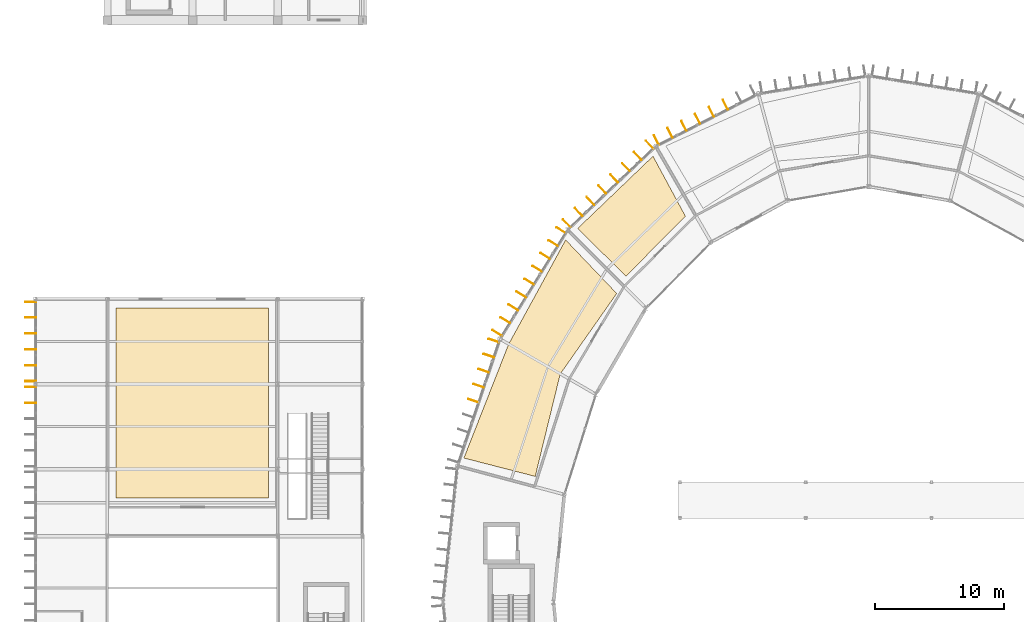
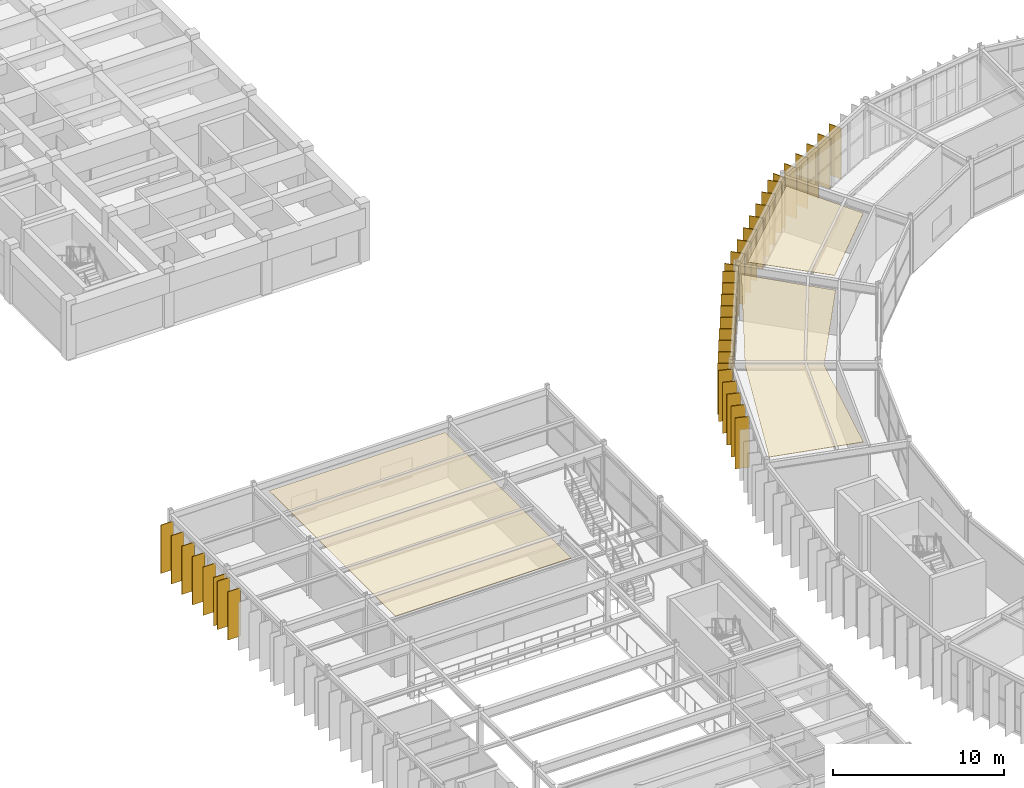
# One storey, part 141 of 147: 36 shading devices, 3 coverings.
"""IFC4 building model written with IfcOpenShell, lengths in metres."""

import ifcopenshell
import ifcopenshell.guid

model = None  # the IFC model being written
_history = None  # IfcOwnerHistory: only IFC2X3 demands one
_inside = {}  # id of a spatial element -> (the spatial element, [elements in it])
_under = {}  # id of a project, library or spatial element -> (it, [spatial elements below it])
_declared = {}  # id of a project -> (the project, [libraries it declares])
_typed = {}  # id of a type object -> (the type object, [elements of that type])
_made_of = {}  # id of a material, layer set ... -> (it, [elements and type objects made of it])


def new_model(schema):
    """Start an empty IFC model of exactly this schema.

    Asked for "IFC4X3", IfcOpenShell would pick the latest addendum, in which some entities
    have other attributes; the version numbers below select the first issue.
    IFC2X3 requires an IfcOwnerHistory on every rooted entity: one is made here for all.
    """
    global model, _history
    if schema == "IFC4X3":
        model = ifcopenshell.file(schema_version=(4, 3, 0, 0))
    else:
        model = ifcopenshell.file(schema=schema)
    _inside.clear()
    _under.clear()
    _declared.clear()
    _typed.clear()
    _made_of.clear()
    _history = None
    if model.schema == "IFC2X3":
        org = make("IfcOrganization", Name="unknown")
        user = make(
            "IfcPersonAndOrganization",
            ThePerson=make("IfcPerson", FamilyName="unknown"),
            TheOrganization=org,
        )
        app = make(
            "IfcApplication",
            ApplicationDeveloper=org,
            Version="unknown",
            ApplicationFullName="unknown",
            ApplicationIdentifier="unknown",
        )
        _history = make(
            "IfcOwnerHistory",
            OwningUser=user,
            OwningApplication=app,
            ChangeAction="ADDED",
            CreationDate=0,
        )
    return model


def make(cls, **values):
    """One entity of the class cls with the attributes given. An attribute that is None is left unset."""
    return model.create_entity(
        cls, **{name: value for name, value in values.items() if value is not None}
    )


def rooted(cls, **values):
    """An entity with a GlobalId (a new one), such as an element, a storey or a relation."""
    return make(cls, GlobalId=ifcopenshell.guid.new(), OwnerHistory=_history, **values)


def si_unit(unit_type, name, prefix=None):
    """IfcSIUnit, for example si_unit("LENGTHUNIT", "METRE", prefix="MILLI")."""
    return make("IfcSIUnit", UnitType=unit_type, Prefix=prefix, Name=name)


def assignment(units):
    """IfcUnitAssignment: the units of a project."""
    return None if units is None else make("IfcUnitAssignment", Units=units)


def point(xyz):
    """IfcCartesianPoint."""
    return None if xyz is None else make("IfcCartesianPoint", Coordinates=xyz)


def direction(xyz):
    """IfcDirection."""
    return None if xyz is None else make("IfcDirection", DirectionRatios=xyz)


def frame(location, z_axis=None, x_axis=None):
    """IfcAxis2Placement3D, a coordinate frame: its origin and axes. An axis left out is left unset."""
    return make(
        "IfcAxis2Placement3D",
        Location=point(location),
        Axis=direction(z_axis),
        RefDirection=direction(x_axis),
    )


def frame_2d(location, x_axis=None):
    """IfcAxis2Placement2D, a coordinate frame in the plane: its origin and x axis."""
    return make(
        "IfcAxis2Placement2D", Location=point(location), RefDirection=direction(x_axis)
    )


def origin():
    """The frame at (0, 0, 0) with its axes left unset."""
    return frame((0.0, 0.0, 0.0))


def origin_2d():
    """The frame at (0, 0) in the plane with its x axis left unset."""
    return frame_2d((0.0, 0.0))


def place(relative_to, where):
    """IfcLocalPlacement: puts the frame where relative to a parent placement (None: the world)."""
    return make(
        "IfcLocalPlacement", PlacementRelTo=relative_to, RelativePlacement=where
    )


def context(
    kind, dimensions, precision=None, world=None, true_north=None, identifier=None
):
    """IfcGeometricRepresentationContext, for example the 3D "Model" context."""
    return make(
        "IfcGeometricRepresentationContext",
        ContextIdentifier=identifier,
        ContextType=kind,
        CoordinateSpaceDimension=dimensions,
        Precision=precision,
        WorldCoordinateSystem=world,
        TrueNorth=true_north,
    )


def subcontext(parent, identifier, kind, view, scale=None):
    """IfcGeometricRepresentationSubContext, for example "Body" below "Model"."""
    return make(
        "IfcGeometricRepresentationSubContext",
        ContextIdentifier=identifier,
        ContextType=kind,
        ParentContext=parent,
        TargetScale=scale,
        TargetView=view,
    )


def project(units=None, contexts=None):
    """IfcProject with its units and contexts."""
    return rooted(
        "IfcProject",
        Name="project",
        RepresentationContexts=contexts,
        UnitsInContext=assignment(units),
    )


def spatial(cls, under=None, at=None, **own):
    """A site, building, storey or space (cls), placed at a placement, below another one or the project."""
    s = rooted(cls, ObjectPlacement=at, **own)
    if under is not None:
        _under.setdefault(under.id(), (under, []))[1].append(s)
    return s


def polyline(points):
    """IfcPolyline through the points."""
    return make("IfcPolyline", Points=[point(p) for p in points])


def profile(cls, at=None, kind="AREA", **sizes):
    """A parametric profile (cls). Its sizes go by their IFC names, for example OverallWidth=200.0."""
    return make(cls, ProfileType=kind, Position=at, **sizes)


def rectangle(**sizes):
    """IfcRectangleProfileDef."""
    return profile("IfcRectangleProfileDef", **sizes)


def outline(outer, holes=None, kind="AREA"):
    """IfcArbitraryClosedProfileDef: a profile drawn as a closed curve; with holes, ...WithVoids."""
    if holes is None:
        return make("IfcArbitraryClosedProfileDef", ProfileType=kind, OuterCurve=outer)
    return make(
        "IfcArbitraryProfileDefWithVoids",
        ProfileType=kind,
        OuterCurve=outer,
        InnerCurves=holes,
    )


def extrude(swept, where, along, depth):
    """IfcExtrudedAreaSolid: the profile swept, set in the frame where, extruded along a direction by depth."""
    return make(
        "IfcExtrudedAreaSolid",
        SweptArea=swept,
        Position=where,
        ExtrudedDirection=direction(along),
        Depth=depth,
    )


def shape(context_of_items, identifier, shape_type, items):
    """IfcShapeRepresentation: the items that make up one representation, for example the "Body"."""
    return make(
        "IfcShapeRepresentation",
        ContextOfItems=context_of_items,
        RepresentationIdentifier=identifier,
        RepresentationType=shape_type,
        Items=items,
    )


def material(Name=None, Category=None):
    """IfcMaterial."""
    return make("IfcMaterial", Name=Name, Category=Category)


def layer(
    of_material, thickness, ventilated=None, Name=None, Category=None, Priority=None
):
    """IfcMaterialLayer: one layer of a wall or slab, of a material (None: an air gap)."""
    return make(
        "IfcMaterialLayer",
        Material=of_material,
        LayerThickness=thickness,
        IsVentilated=ventilated,
        Name=Name,
        Category=Category,
        Priority=Priority,
    )


def layer_set(layers, Name=None):
    """IfcMaterialLayerSet."""
    return make("IfcMaterialLayerSet", MaterialLayers=layers, LayerSetName=Name)


def made_of(thing, what):
    """Note that an element or type object is made of a material, layer set ...; save() writes the relation."""
    if what is not None:
        _made_of.setdefault(what.id(), (what, []))[1].append(thing)
    return thing


def type_object(cls, material=None, **own):
    """A type object (cls), such as IfcWallType, which elements share."""
    return made_of(rooted(cls, **own), material)


def element(
    cls,
    number,
    at=None,
    inside=None,
    cuts=None,
    type_object=None,
    material=None,
    context=None,
    identifier="Body",
    shape_type=None,
    held_by="IfcProductDefinitionShape",
    body=None,
    shapes=None,
    **own,
):
    """One element of the class cls, such as IfcWall. Its Tag is "e" and its number.

    at: its placement. inside: the storey or other place that contains it. cuts: it is an
    opening in that element (IfcRelVoidsElement). A single representation is given by context,
    identifier, shape_type and body (its items); several are given by shapes. held_by: the class
    of the entity that holds the representations. save() writes the other relations.
    """
    e = rooted(cls, Tag="e%d" % number, ObjectPlacement=at, **own)
    if body is not None:
        shapes = [shape(context, identifier, shape_type, body)]
    if shapes is not None:
        e.Representation = make(held_by, Representations=shapes)
    if inside is not None:
        _inside.setdefault(inside.id(), (inside, []))[1].append(e)
    if cuts is not None:
        rooted(
            "IfcRelVoidsElement", RelatingBuildingElement=cuts, RelatedOpeningElement=e
        )
    if type_object is not None:
        _typed.setdefault(type_object.id(), (type_object, []))[1].append(e)
    return made_of(e, material)


def aggregate(whole, parts):
    """IfcRelAggregates: a whole, such as a stair, and the parts it consists of."""
    return rooted("IfcRelAggregates", RelatingObject=whole, RelatedObjects=parts)


def save(model, path):
    """Write the relations noted so far, then the file.

    IfcRelAggregates (storeys below a building ...), IfcRelContainedInSpatialStructure (elements
    in a storey), IfcRelDefinesByType, IfcRelAssociatesMaterial and IfcRelDeclares: one each for
    every whole, place, type object, material and project.
    """
    for whole, parts in _under.values():
        aggregate(whole, parts)
    for where, things in _inside.values():
        rooted(
            "IfcRelContainedInSpatialStructure",
            RelatedElements=things,
            RelatingStructure=where,
        )
    for kind, things in _typed.values():
        rooted("IfcRelDefinesByType", RelatedObjects=things, RelatingType=kind)
    for what, things in _made_of.values():
        rooted("IfcRelAssociatesMaterial", RelatedObjects=things, RelatingMaterial=what)
    for by, libraries in _declared.values():
        rooted("IfcRelDeclares", RelatingContext=by, RelatedDefinitions=libraries)
    model.write(path)


model = new_model("IFC4")

# Units and contexts
model_context = context("Model", 3, precision=1e-05, world=origin(), true_north=direction((0.0, 1.0)))
body_context = subcontext(model_context, "Body", "Model", "MODEL_VIEW")
ifc_project = project(units=[si_unit("LENGTHUNIT", "METRE"), si_unit("AREAUNIT", "SQUARE_METRE"), si_unit("VOLUMEUNIT", "CUBIC_METRE"), si_unit("PLANEANGLEUNIT", "RADIAN"), si_unit("MASSUNIT", "GRAM", prefix="KILO")], contexts=[model_context])

# Site, building, storey
site_placement = place(None, origin())
site = spatial("IfcSite", under=ifc_project, at=site_placement, CompositionType="ELEMENT")
building_placement = place(site_placement, origin())
building = spatial("IfcBuilding", under=site, at=building_placement, Name="Karori Crest Natural Sciences Institute", CompositionType="ELEMENT")
storey_placement = place(building_placement, frame((0.0, 0.0, 9.10009765625)))
storey = spatial("IfcBuildingStorey", under=building, at=storey_placement, Name="L02", CompositionType="ELEMENT", Elevation=9.10009765625)

# Coverings
ifc_material_1 = material(Name="Acoustic mineral fibre ceiling tile")
ifc_layer_1 = layer(ifc_material_1, 0.02490234375, Name="Acoustic mineral fibre ceiling tile")
ifc_layer_set_1 = layer_set([ifc_layer_1], Name="Acoustic mineral fibre ceiling tile")
covering_type = type_object("IfcCoveringType", Name="CVT-CEIL", PredefinedType="CEILING", material=ifc_layer_set_1)
covering_1_placement = place(storey_placement, frame((0.0, 0.0, 3.704833984375)))
element("IfcCovering", 1, at=covering_1_placement, inside=storey, type_object=covering_type, Name="Acoustic ceiling CLG-0051", PredefinedType="CEILING", context=body_context, shape_type="SweptSolid", body=[
    extrude(outline(polyline([(8.048583984375, 72.694580078125), (8.048583984375, 57.95556640625), (19.9013671875, 57.95556640625), (19.9013671875, 72.694580078125), (8.048583984375, 72.694580078125)])), origin(), (0.0, 0.0, 1.0), 0.025146484375),
])
covering_2_placement = place(storey_placement, frame((0.0, 0.0, 3.704833984375)))
element("IfcCovering", 2, at=covering_2_placement, inside=storey, type_object=covering_type, Name="Acoustic ceiling CLG-0068", PredefinedType="CEILING", context=body_context, shape_type="SweptSolid", body=[
    extrude(outline(polyline([(47.58642578125, 75.154052734375), (52.20166015625, 79.8115234375), (49.689453125, 84.4619140625), (43.8564453125, 78.87060546875), (47.58642578125, 75.154052734375)])), origin(), (0.0, 0.0, 1.0), 0.025146484375),
])
covering_3_placement = place(storey_placement, frame((0.0, 0.0, 3.704833984375)))
element("IfcCovering", 3, at=covering_3_placement, inside=storey, type_object=covering_type, Name="Acoustic ceiling CLG-0069", PredefinedType="CEILING", context=body_context, shape_type="SweptSolid", body=[
    extrude(outline(polyline([(42.493896484375, 67.572509765625), (46.876953125, 73.82177734375), (42.91845703125, 77.973876953125), (38.497314453125, 69.89111328125), (35.03076171875, 61.066162109375), (40.561279296875, 59.6435546875), (42.493896484375, 67.572509765625)])), origin(), (0.0, 0.0, 1.0), 0.025146484375),
])

# Shading devices
ifc_material_2 = material(Name="Anodised architectural aluminium 6063-T6", Category="aluminium")
ifc_layer_2 = layer(ifc_material_2, 0.044921875, Name="Anodised architectural aluminium 6063-T6")
ifc_layer_set_2 = layer_set([ifc_layer_2], Name="Anodised architectural aluminium 6063-T6")
shading_device_type = type_object("IfcShadingDeviceType", Name="SDT-FIN", PredefinedType="USERDEFINED", material=ifc_layer_set_2)
for number, where, z_axis, x_axis, name in (
    (4, (49.944580078125, 85.71728515625, 0.0), (0.0, 0.0, 1.0), (-0.455832320655, 0.890065669176, 0.0), "Vertical solar fin FN-0264"),
    (5, (51.013427734375, 86.2646484375, 0.0), (0.0, 0.0, 1.0), (-0.455832320655, 0.890065669176, 0.0), "Vertical solar fin FN-0265"),
    (6, (52.082275390625, 86.81201171875, 0.0), (0.0, 0.0, 1.0), (-0.455832320655, 0.890065669176, 0.0), "Vertical solar fin FN-0266"),
    (7, (53.151123046875, 87.359375, 0.0), (0.0, 0.0, 1.0), (-0.455832320655, 0.890065669176, 0.0), "Vertical solar fin FN-0267"),
    (8, (54.219970703125, 87.90673828125, 0.0), (0.0, 0.0, 1.0), (-0.455832320655, 0.890065669176, 0.0), "Vertical solar fin FN-0268"),
    (9, (55.288818359375, 88.4541015625, 0.0), (0.0, 0.0, 1.0), (-0.455832320655, 0.890065669176, 0.0), "Vertical solar fin FN-0269"),
    (10, (43.010009765625, 79.262451171875, 0.0), (0.0, 0.0, 1.0), (-0.688250755242, 0.725472878824, 0.0), "Vertical solar fin FN-0272"),
    (11, (43.927001953125, 80.13232421875, 0.0), (0.0, 0.0, 1.0), (-0.688250755242, 0.725472878824, 0.0), "Vertical solar fin FN-0273"),
    (12, (44.843994140625, 81.00244140625, 0.0), (0.0, 0.0, 1.0), (-0.688250755242, 0.725472878824, 0.0), "Vertical solar fin FN-0274"),
    (13, (45.760986328125, 81.872314453125, 0.0), (0.0, 0.0, 1.0), (-0.688250755242, 0.725472878824, 0.0), "Vertical solar fin FN-0275"),
    (14, (46.677978515625, 82.7421875, 0.0), (0.0, 0.0, 1.0), (-0.688250755242, 0.725472878824, 0.0), "Vertical solar fin FN-0276"),
    (15, (47.59521484375, 83.6123046875, 0.0), (0.0, 0.0, 1.0), (-0.688250755242, 0.725472878824, 0.0), "Vertical solar fin FN-0277"),
    (16, (48.51220703125, 84.482421875, 0.0), (0.0, 0.0, 1.0), (-0.688250755242, 0.725472878824, 0.0), "Vertical solar fin FN-0278"),
    (17, (49.42919921875, 85.352294921875, 0.0), (0.0, 0.0, 1.0), (-0.688250755242, 0.725472878824, 0.0), "Vertical solar fin FN-0279"),
    (18, (37.618408203125, 70.75048828125, 0.0), (0.0, 0.0, 1.0), (-0.849661763889, 0.527328063907, 0.0), "Vertical solar fin FN-0280"),
    (19, (38.236572265625, 71.74658203125, 0.0), (0.0, 0.0, 1.0), (-0.849661763889, 0.527328063907, 0.0), "Vertical solar fin FN-0281"),
    (20, (38.854736328125, 72.742919921875, 0.0), (0.0, 0.0, 1.0), (-0.849661763889, 0.527328063907, 0.0), "Vertical solar fin FN-0282"),
    (21, (39.472900390625, 73.739013671875, 0.0), (0.0, 0.0, 1.0), (-0.849661763889, 0.527328063907, 0.0), "Vertical solar fin FN-0283"),
    (22, (40.091064453125, 74.735107421875, 0.0), (0.0, 0.0, 1.0), (-0.849661763889, 0.527328063907, 0.0), "Vertical solar fin FN-0284"),
    (23, (40.70947265625, 75.731201171875, 0.0), (0.0, 0.0, 1.0), (-0.849661763889, 0.527328063907, 0.0), "Vertical solar fin FN-0285"),
    (24, (41.32763671875, 76.727294921875, 0.0), (0.0, 0.0, 1.0), (-0.849661763889, 0.527328063907, 0.0), "Vertical solar fin FN-0286"),
    (25, (41.94580078125, 77.723388671875, 0.0), (0.0, 0.0, 1.0), (-0.849661763889, 0.527328063907, 0.0), "Vertical solar fin FN-0287"),
    (26, (42.56396484375, 78.719482421875, 0.0), (0.0, 0.0, 1.0), (-0.849661763889, 0.527328063907, 0.0), "Vertical solar fin FN-0288"),
    (27, (35.781494140625, 65.502685546875, 0.0), (0.0, 0.0, 1.0), (-0.948196204549, 0.317685312343, 0.0), "Vertical solar fin FN-0293"),
    (28, (36.17236328125, 66.669189453125, 0.0), (0.0, 0.0, 1.0), (-0.948196204549, 0.317685312343, 0.0), "Vertical solar fin FN-0294"),
    (29, (36.563232421875, 67.835693359375, 0.0), (0.0, 0.0, 1.0), (-0.948196204549, 0.317685312343, 0.0), "Vertical solar fin FN-0295"),
    (30, (36.9541015625, 69.002197265625, 0.0), (0.0, 0.0, 1.0), (-0.948196204549, 0.317685312343, 0.0), "Vertical solar fin FN-0296"),
    (31, (37.344970703125, 70.168701171875, 0.0), (0.0, 0.0, 1.0), (-0.948196204549, 0.317685312343, 0.0), "Vertical solar fin FN-0297"),
):
    element("IfcShadingDevice", number, at=place(storey_placement, frame(where, z_axis=z_axis, x_axis=x_axis)), inside=storey, type_object=shading_device_type, Name=name, ObjectType="SOLAR_FIN", PredefinedType="USERDEFINED", context=body_context, shape_type="SweptSolid", body=[
        extrude(rectangle(XDim=0.85009765625, YDim=0.044921875, at=origin_2d()), origin(), (0.0, 0.0, 1.0), 3.625),
    ])
for number, where, z_axis, x_axis, name in (
    (32, (1.449951171875, 65.34619140625, 0.0), (0.0, 0.0, 1.0), (-1.0, 0.0, 0.0), "Vertical solar fin FN-1341"),
    (33, (1.449951171875, 66.576904296875, 0.0), (0.0, 0.0, 1.0), (-1.0, 0.0, 0.0), "Vertical solar fin FN-1342"),
    (34, (1.449951171875, 67.02294921875, 0.0), (0.0, 0.0, 1.0), (-1.0, 0.0, 0.0), "Vertical solar fin FN-1343"),
    (35, (1.449951171875, 68.25390625, 0.0), (0.0, 0.0, 1.0), (-1.0, 0.0, 0.0), "Vertical solar fin FN-1344"),
    (36, (1.449951171875, 69.484619140625, 0.0), (0.0, 0.0, 1.0), (-1.0, 0.0, 0.0), "Vertical solar fin FN-1345"),
    (37, (1.449951171875, 70.71533203125, 0.0), (0.0, 0.0, 1.0), (-1.0, 0.0, 0.0), "Vertical solar fin FN-1346"),
    (38, (1.449951171875, 71.9462890625, 0.0), (0.0, 0.0, 1.0), (-1.0, 0.0, 0.0), "Vertical solar fin FN-1347"),
    (39, (1.449951171875, 73.177001953125, 0.0), (0.0, 0.0, 1.0), (-1.0, 0.0, 0.0), "Vertical solar fin FN-1348"),
):
    element("IfcShadingDevice", number, at=place(storey_placement, frame(where, z_axis=z_axis, x_axis=x_axis)), inside=storey, type_object=shading_device_type, Name=name, ObjectType="SOLAR_FIN", PredefinedType="USERDEFINED", context=body_context, shape_type="SweptSolid", body=[
        extrude(rectangle(XDim=0.85009765625, YDim=0.044921875, at=origin_2d()), origin(), (0.0, 0.0, 1.0), 3.445068359375),
    ])

save(model, "model.ifc")
